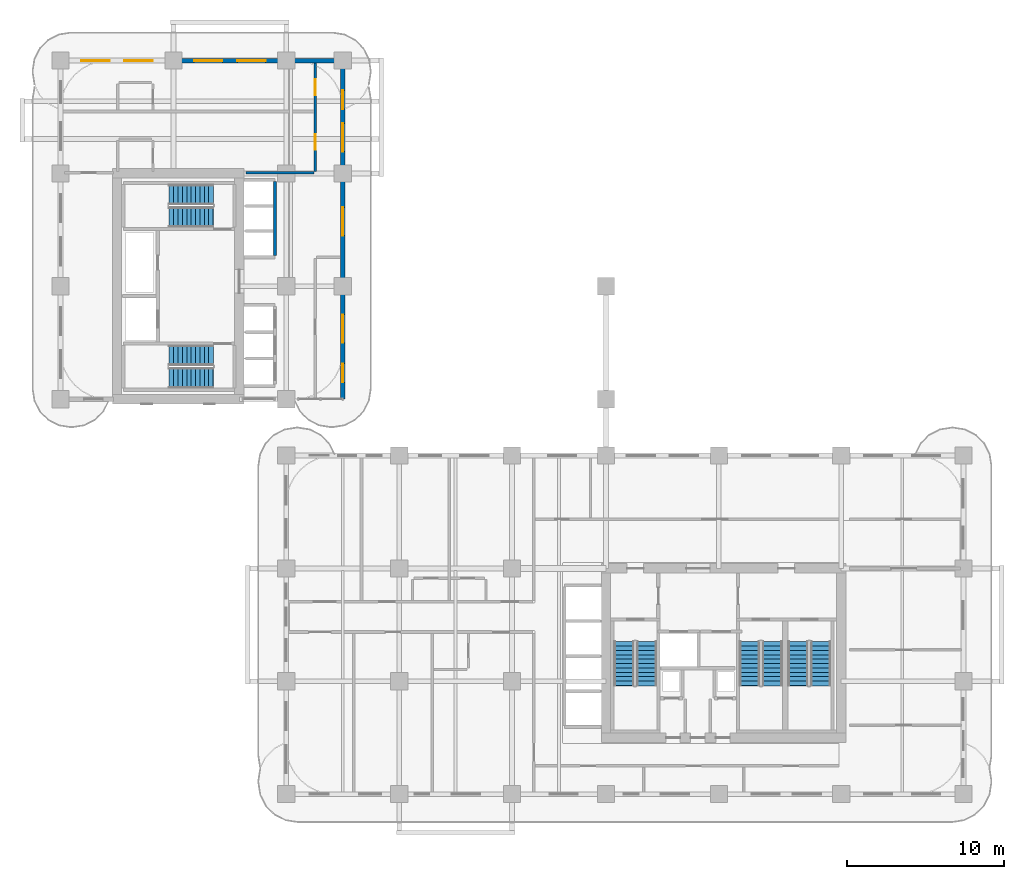
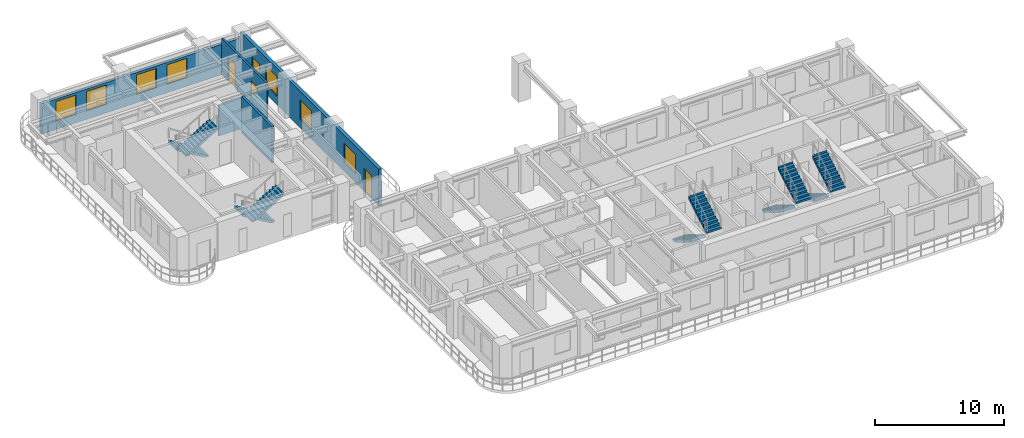
# One storey, part 11 of 18: 10 stair flights, 7 windows, 5 walls, 4 doors, 11 openings, 5 elements without a shape of their own.
"""IFC4 building model written with IfcOpenShell, lengths in metres."""

from ifc_helpers import new_model, si_unit, derived_unit, direction, frame, frame_2d, origin, place, context, subcontext, project, spatial, polyline, rectangle, outline, extrude, source, transform, mapped, material, layer, layer_set, type_object, type_shapes, element, fill, aggregate, save


model = new_model("IFC4")

# Units and contexts
model_context = context("Model", 3, precision=1e-05, world=origin(), true_north=direction((0.0, 1.0)))
body_context = subcontext(model_context, "Body", "Model", "MODEL_VIEW")
ifc_project = project(units=[si_unit("LENGTHUNIT", "METRE"), si_unit("AREAUNIT", "SQUARE_METRE"), si_unit("VOLUMEUNIT", "CUBIC_METRE"), si_unit("PLANEANGLEUNIT", "RADIAN"), si_unit("MASSUNIT", "GRAM", prefix="KILO"), si_unit("THERMODYNAMICTEMPERATUREUNIT", "KELVIN"), si_unit("POWERUNIT", "WATT"), derived_unit("THERMALTRANSMITTANCEUNIT", [(si_unit("POWERUNIT", "WATT"), 1), (si_unit("AREAUNIT", "SQUARE_METRE"), -1), (si_unit("THERMODYNAMICTEMPERATUREUNIT", "KELVIN"), -1)])], contexts=[model_context])

# Site, building, storey
site_placement = place(None, origin())
site = spatial("IfcSite", under=ifc_project, at=site_placement, CompositionType="ELEMENT")
building_placement = place(site_placement, origin())
building = spatial("IfcBuilding", under=site, at=building_placement, Name="Zahravan Archway Hotel and Residences", CompositionType="ELEMENT")
storey_placement = place(building_placement, frame((0.0, 0.0, 50.89990234375)))
storey = spatial("IfcBuildingStorey", under=building, at=storey_placement, Name="L11", CompositionType="ELEMENT", Elevation=50.89990234375)

# Wall, openings, doors, windows
ifc_material_1 = material(Name="Honed Red-Ochre Sandstone & Insulated Block", Category="masonry")
ifc_layer_1 = layer(ifc_material_1, 0.280029296875, Name="Honed Red-Ochre Sandstone & Insulated Block", Category="masonry")
ifc_layer_set_1 = layer_set([ifc_layer_1], Name="Honed Red-Ochre Sandstone & Insulated Block")
wall_type_1 = type_object("IfcWallType", Name="EW-LOG-280", PredefinedType="SOLIDWALL", material=ifc_layer_set_1)
wall_1_placement = place(storey_placement, frame((18.0, 25.199951171875, 0.0), z_axis=(0.0, 0.0, 1.0), x_axis=(0.0, 1.0, 0.0)))
wall_1 = element("IfcWall", 1, at=wall_1_placement, inside=storey, type_object=wall_type_1, Name="L11 Exterior Sandstone Wall WB-E", PredefinedType="SOLIDWALL", context=body_context, shape_type="SweptSolid", body=[
    extrude(rectangle(XDim=21.550048828125, YDim=0.280029296875, at=frame_2d((10.77490234375, 0.0))), origin(), (0.0, 0.0, 1.0), 3.4501953125),
])
opening_1_placement = place(wall_1_placement, frame((18.5, 0.0, 0.0)))
opening_1 = element("IfcOpeningElement", 2, at=opening_1_placement, cuts=wall_1, Name="Opening ED-BL1", PredefinedType="OPENING", context=body_context, shape_type="SweptSolid", body=[
    extrude(rectangle(XDim=1.199951171875, YDim=2.199951171875, at=frame_2d((0.60009765625, 1.10009765625))), frame((0.0, 0.14990234375, 0.0), z_axis=(0.0, -1.0, 0.0), x_axis=(1.0, 0.0, 0.0)), (0.0, 0.0, 1.0), 0.300048828125),
])
opening_2_placement = place(wall_1_placement, frame((1.070068359375, 0.0, 0.0)))
opening_2 = element("IfcOpeningElement", 3, at=opening_2_placement, cuts=wall_1, Name="Opening ED-BL1", PredefinedType="OPENING", context=body_context, shape_type="SweptSolid", body=[
    extrude(rectangle(XDim=1.199951171875, YDim=2.199951171875, at=frame_2d((0.60009765625, 1.10009765625))), frame((0.0, 0.14990234375, 0.0), z_axis=(0.0, -1.0, 0.0), x_axis=(1.0, 0.0, 0.0)), (0.0, 0.0, 1.0), 0.300048828125),
])
opening_3_placement = place(wall_1_placement, frame((3.5849609375, 0.0, 0.800048828125)))
opening_3 = element("IfcOpeningElement", 4, at=opening_3_placement, cuts=wall_1, Name="Opening W-02", PredefinedType="OPENING", context=body_context, shape_type="SweptSolid", body=[
    extrude(rectangle(XDim=1.800048828125, YDim=1.85009765625, at=frame_2d((0.89990234375, 0.925048828125))), frame((0.0, 0.14990234375, 0.0), z_axis=(0.0, -1.0, 0.0), x_axis=(1.0, 0.0, 0.0)), (0.0, 0.0, 1.0), 0.300048828125),
])
opening_4_placement = place(wall_1_placement, frame((10.427978515625, 0.0, 0.800048828125)))
opening_4 = element("IfcOpeningElement", 5, at=opening_4_placement, cuts=wall_1, Name="Opening W-02", PredefinedType="OPENING", context=body_context, shape_type="SweptSolid", body=[
    extrude(rectangle(XDim=1.800048828125, YDim=1.85009765625, at=frame_2d((0.89990234375, 0.925048828125))), frame((0.0, 0.14990234375, 0.0), z_axis=(0.0, -1.0, 0.0), x_axis=(1.0, 0.0, 0.0)), (0.0, 0.0, 1.0), 0.300048828125),
])
opening_5_placement = place(wall_1_placement, frame((15.800048828125, 0.0, 0.800048828125)))
opening_5 = element("IfcOpeningElement", 6, at=opening_5_placement, cuts=wall_1, Name="Opening W-02", PredefinedType="OPENING", context=body_context, shape_type="SweptSolid", body=[
    extrude(rectangle(XDim=1.800048828125, YDim=1.85009765625, at=frame_2d((0.89990234375, 0.925048828125))), frame((0.0, 0.14990234375, 0.0), z_axis=(0.0, -1.0, 0.0), x_axis=(1.0, 0.0, 0.0)), (0.0, 0.0, 1.0), 0.300048828125),
])
ifc_material_2 = material(Name="Bronze-Anodized Glazed Aluminium", Category="aluminium")
door_type_1 = type_object("IfcDoorType", Name="ED-BALC-1200", OperationType="SLIDING_TO_LEFT", PredefinedType="DOOR", material=ifc_material_2)
shared_shape_1 = source(origin(), body_context, "Body", "SweptSolid", [
    extrude(rectangle(XDim=1.199951171875, YDim=2.199951171875, at=frame_2d((0.60009765625, 1.10009765625))), frame((0.0, 0.02490234375, 0.0), z_axis=(0.0, -1.0, 0.0), x_axis=(1.0, 0.0, 0.0)), (0.0, 0.0, 1.0), 0.050048828125),
])
type_shapes(door_type_1, [shared_shape_1])
door_1_placement = place(opening_1_placement, origin())
door_1 = element("IfcDoor", 7, at=door_1_placement, inside=storey, type_object=door_type_1, Name="L11 Outdoor Access Sliding Door (SLB-BAL-L11-NB)", OperationType="SLIDING_TO_LEFT", OverallHeight=2.199951171875, OverallWidth=1.199951171875, PredefinedType="DOOR", context=body_context, shape_type="MappedRepresentation", body=[
    mapped(shared_shape_1, transform((0.0, 0.0, 0.0), scale=1.0)),
])
fill(opening_1, door_1)
door_2_placement = place(opening_2_placement, origin())
door_2 = element("IfcDoor", 8, at=door_2_placement, inside=storey, type_object=door_type_1, Name="L11 Outdoor Access Sliding Door (SLB-BAL-L11-EB)", OperationType="SLIDING_TO_LEFT", OverallHeight=2.199951171875, OverallWidth=1.199951171875, PredefinedType="DOOR", context=body_context, shape_type="MappedRepresentation", body=[
    mapped(shared_shape_1, transform((0.0, 0.0, 0.0), scale=1.0)),
])
fill(opening_2, door_2)
ifc_material_3 = material(Name="Bronze-Anodized Thermal-Break Aluminium & Low-E Glass", Category="aluminium")
window_type = type_object("IfcWindowType", Name="WIN-TWR-1800", PartitioningType="DOUBLE_PANEL_VERTICAL", PredefinedType="WINDOW", material=ifc_material_3)
shared_shape_2 = source(origin(), body_context, "Body", "SweptSolid", [
    extrude(rectangle(XDim=1.800048828125, YDim=1.85009765625, at=frame_2d((0.89990234375, 0.925048828125))), frame((0.0, 0.030029296875, 0.0), z_axis=(0.0, -1.0, 0.0), x_axis=(1.0, 0.0, 0.0)), (0.0, 0.0, 1.0), 0.06005859375),
])
type_shapes(window_type, [shared_shape_2])
window_1_placement = place(opening_3_placement, origin())
window_1 = element("IfcWindow", 9, at=window_1_placement, inside=storey, type_object=window_type, Name="L11 Loggia Window 34", OverallHeight=1.85009765625, OverallWidth=1.800048828125, PartitioningType="DOUBLE_PANEL_VERTICAL", PredefinedType="WINDOW", context=body_context, shape_type="MappedRepresentation", body=[
    mapped(shared_shape_2, transform((0.0, 0.0, 0.0), scale=1.0)),
])
fill(opening_3, window_1)
window_2_placement = place(opening_4_placement, origin())
window_2 = element("IfcWindow", 10, at=window_2_placement, inside=storey, type_object=window_type, Name="L11 Loggia Window 35", OverallHeight=1.85009765625, OverallWidth=1.800048828125, PartitioningType="DOUBLE_PANEL_VERTICAL", PredefinedType="WINDOW", context=body_context, shape_type="MappedRepresentation", body=[
    mapped(shared_shape_2, transform((0.0, 0.0, 0.0), scale=1.0)),
])
fill(opening_4, window_2)
window_3_placement = place(opening_5_placement, origin())
window_3 = element("IfcWindow", 11, at=window_3_placement, inside=storey, type_object=window_type, Name="L11 Loggia Window 36", OverallHeight=1.85009765625, OverallWidth=1.800048828125, PartitioningType="DOUBLE_PANEL_VERTICAL", PredefinedType="WINDOW", context=body_context, shape_type="MappedRepresentation", body=[
    mapped(shared_shape_2, transform((0.0, 0.0, 0.0), scale=1.0)),
])
fill(opening_5, window_3)

# Wall, openings, windows
wall_2_placement = place(storey_placement, frame((0.0, 46.800048828125, 0.0), z_axis=(0.0, 0.0, 1.0), x_axis=(1.0, 0.0, 0.0)))
wall_2 = element("IfcWall", 12, at=wall_2_placement, inside=storey, type_object=wall_type_1, Name="L11 Exterior Sandstone Wall WB-N", PredefinedType="SOLIDWALL", context=body_context, shape_type="SweptSolid", body=[
    extrude(rectangle(XDim=18.0, YDim=0.280029296875, at=frame_2d((9.0, 0.0))), origin(), (0.0, 0.0, 1.0), 2.885009765625),
])
opening_6_placement = place(wall_2_placement, frame((1.324951171875, 0.0, 0.800048828125)))
opening_6 = element("IfcOpeningElement", 13, at=opening_6_placement, cuts=wall_2, Name="Opening W-02", PredefinedType="OPENING", context=body_context, shape_type="SweptSolid", body=[
    extrude(rectangle(XDim=1.800048828125, YDim=1.85009765625, at=frame_2d((0.89990234375, 0.925048828125))), frame((0.0, 0.14990234375, 0.0), z_axis=(0.0, -1.0, 0.0), x_axis=(1.0, 0.0, 0.0)), (0.0, 0.0, 1.0), 0.300048828125),
])
opening_7_placement = place(wall_2_placement, frame((4.074951171875, 0.0, 0.800048828125)))
opening_7 = element("IfcOpeningElement", 14, at=opening_7_placement, cuts=wall_2, Name="Opening W-02", PredefinedType="OPENING", context=body_context, shape_type="SweptSolid", body=[
    extrude(rectangle(XDim=1.800048828125, YDim=1.85009765625, at=frame_2d((0.89990234375, 0.925048828125))), frame((0.0, 0.14990234375, 0.0), z_axis=(0.0, -1.0, 0.0), x_axis=(1.0, 0.0, 0.0)), (0.0, 0.0, 1.0), 0.300048828125),
])
opening_8_placement = place(wall_2_placement, frame((8.52490234375, 0.0, 0.800048828125)))
opening_8 = element("IfcOpeningElement", 15, at=opening_8_placement, cuts=wall_2, Name="Opening W-02", PredefinedType="OPENING", context=body_context, shape_type="SweptSolid", body=[
    extrude(rectangle(XDim=1.800048828125, YDim=1.85009765625, at=frame_2d((0.89990234375, 0.925048828125))), frame((0.0, 0.14990234375, 0.0), z_axis=(0.0, -1.0, 0.0), x_axis=(1.0, 0.0, 0.0)), (0.0, 0.0, 1.0), 0.300048828125),
])
opening_9_placement = place(wall_2_placement, frame((11.27490234375, 0.0, 0.800048828125)))
opening_9 = element("IfcOpeningElement", 16, at=opening_9_placement, cuts=wall_2, Name="Opening W-02", PredefinedType="OPENING", context=body_context, shape_type="SweptSolid", body=[
    extrude(rectangle(XDim=1.800048828125, YDim=1.85009765625, at=frame_2d((0.89990234375, 0.925048828125))), frame((0.0, 0.14990234375, 0.0), z_axis=(0.0, -1.0, 0.0), x_axis=(1.0, 0.0, 0.0)), (0.0, 0.0, 1.0), 0.300048828125),
])
window_4_placement = place(opening_6_placement, origin())
window_4 = element("IfcWindow", 17, at=window_4_placement, inside=storey, type_object=window_type, Name="L11 Loggia Window 37", OverallHeight=1.85009765625, OverallWidth=1.800048828125, PartitioningType="DOUBLE_PANEL_VERTICAL", PredefinedType="WINDOW", context=body_context, shape_type="MappedRepresentation", body=[
    mapped(shared_shape_2, transform((0.0, 0.0, 0.0), scale=1.0)),
])
fill(opening_6, window_4)
window_5_placement = place(opening_7_placement, origin())
window_5 = element("IfcWindow", 18, at=window_5_placement, inside=storey, type_object=window_type, Name="L11 Loggia Window 38", OverallHeight=1.85009765625, OverallWidth=1.800048828125, PartitioningType="DOUBLE_PANEL_VERTICAL", PredefinedType="WINDOW", context=body_context, shape_type="MappedRepresentation", body=[
    mapped(shared_shape_2, transform((0.0, 0.0, 0.0), scale=1.0)),
])
fill(opening_7, window_5)
window_6_placement = place(opening_8_placement, origin())
window_6 = element("IfcWindow", 19, at=window_6_placement, inside=storey, type_object=window_type, Name="L11 Loggia Window 39", OverallHeight=1.85009765625, OverallWidth=1.800048828125, PartitioningType="DOUBLE_PANEL_VERTICAL", PredefinedType="WINDOW", context=body_context, shape_type="MappedRepresentation", body=[
    mapped(shared_shape_2, transform((0.0, 0.0, 0.0), scale=1.0)),
])
fill(opening_8, window_6)
window_7_placement = place(opening_9_placement, origin())
window_7 = element("IfcWindow", 20, at=window_7_placement, inside=storey, type_object=window_type, Name="L11 Loggia Window 40", OverallHeight=1.85009765625, OverallWidth=1.800048828125, PartitioningType="DOUBLE_PANEL_VERTICAL", PredefinedType="WINDOW", context=body_context, shape_type="MappedRepresentation", body=[
    mapped(shared_shape_2, transform((0.0, 0.0, 0.0), scale=1.0)),
])
fill(opening_9, window_7)

# Wall, openings, doors
ifc_material_4 = material(Name="Fire-Rated Gypsum & Concrete Block", Category="concrete")
ifc_layer_2 = layer(ifc_material_4, 0.159912109375, Name="Fire-Rated Gypsum & Concrete Block", Category="concrete")
ifc_layer_set_2 = layer_set([ifc_layer_2], Name="Fire-Rated Gypsum & Concrete Block")
wall_type_2 = type_object("IfcWallType", Name="PW-CORR-160", PredefinedType="PARTITIONING", material=ifc_layer_set_2)
wall_3_placement = place(storey_placement, frame((16.25, 39.739990234375, 0.0), z_axis=(0.0, 0.0, 1.0), x_axis=(0.0, 1.0, 0.0)))
wall_3 = element("IfcWall", 21, at=wall_3_placement, inside=storey, type_object=wall_type_2, Name="L11 Partition WB-CN", PredefinedType="PARTITIONING", context=body_context, shape_type="SweptSolid", body=[
    extrude(rectangle(XDim=6.912109375, YDim=0.159912109375, at=frame_2d((3.4560546875, 0.0))), origin(), (0.0, 0.0, 1.0), 3.4501953125),
])
opening_10_placement = place(wall_3_placement, frame((1.360107421875, 0.0, 0.0)))
opening_10 = element("IfcOpeningElement", 22, at=opening_10_placement, cuts=wall_3, Name="Opening D-U2", PredefinedType="OPENING", context=body_context, shape_type="SweptSolid", body=[
    extrude(rectangle(XDim=1.0, YDim=2.199951171875, at=frame_2d((0.5, 1.10009765625))), frame((0.0, 0.08984375, 0.0), z_axis=(0.0, -1.0, 0.0), x_axis=(1.0, 0.0, 0.0)), (0.0, 0.0, 1.0), 0.179931640625),
])
opening_11_placement = place(wall_3_placement, frame((4.8349609375, 0.0, 0.0)))
opening_11 = element("IfcOpeningElement", 23, at=opening_11_placement, cuts=wall_3, Name="Opening D-U1", PredefinedType="OPENING", context=body_context, shape_type="SweptSolid", body=[
    extrude(rectangle(XDim=1.050048828125, YDim=2.25, at=frame_2d((0.52490234375, 1.125))), frame((0.0, 0.08984375, 0.0), z_axis=(0.0, -1.0, 0.0), x_axis=(1.0, 0.0, 0.0)), (0.0, 0.0, 1.0), 0.179931640625),
])
ifc_material_5 = material(Name="Hardwood Veneer Timber", Category="wood")
door_type_2 = type_object("IfcDoorType", Name="ID-UNIT-1050", OperationType="NOTDEFINED", PredefinedType="DOOR", material=ifc_material_5)
shared_shape_3 = source(origin(), body_context, "Body", "SweptSolid", [
    extrude(rectangle(XDim=1.050048828125, YDim=2.25, at=frame_2d((0.52490234375, 1.125))), frame((0.0, 0.02490234375, 0.0), z_axis=(0.0, -1.0, 0.0), x_axis=(1.0, 0.0, 0.0)), (0.0, 0.0, 1.0), 0.050048828125),
])
type_shapes(door_type_2, [shared_shape_3])
door_3_placement = place(opening_11_placement, origin())
door_3 = element("IfcDoor", 24, at=door_3_placement, inside=storey, type_object=door_type_2, Name="L11 Hotel Guestroom 62 Entrance Door", OperationType="SINGLE_SWING_LEFT", OverallHeight=2.25, OverallWidth=1.050048828125, PredefinedType="DOOR", context=body_context, shape_type="MappedRepresentation", body=[
    mapped(shared_shape_3, transform((0.0, 0.0, 0.0), scale=1.0)),
])
fill(opening_11, door_3)
door_type_3 = type_object("IfcDoorType", Name="ID-UNIT-1000", OperationType="NOTDEFINED", PredefinedType="DOOR", material=ifc_material_5)
shared_shape_4 = source(origin(), body_context, "Body", "SweptSolid", [
    extrude(rectangle(XDim=1.0, YDim=2.199951171875, at=frame_2d((0.5, 1.10009765625))), frame((0.0, 0.02490234375, 0.0), z_axis=(0.0, -1.0, 0.0), x_axis=(1.0, 0.0, 0.0)), (0.0, 0.0, 1.0), 0.050048828125),
])
type_shapes(door_type_3, [shared_shape_4])
door_4_placement = place(opening_10_placement, origin())
door_4 = element("IfcDoor", 25, at=door_4_placement, inside=storey, type_object=door_type_3, Name="L11 Hotel Guestroom 61 Entrance Door", OperationType="SINGLE_SWING_RIGHT", OverallHeight=2.199951171875, OverallWidth=1.0, PredefinedType="DOOR", context=body_context, shape_type="MappedRepresentation", body=[
    mapped(shared_shape_4, transform((0.0, 0.0, 0.0), scale=1.0)),
])
fill(opening_10, door_4)

# Walls
wall_4_placement = place(storey_placement, frame((11.840087890625, 39.64990234375, 0.0), z_axis=(0.0, 0.0, 1.0), x_axis=(1.0, 0.0, 0.0)))
element("IfcWall", 26, at=wall_4_placement, inside=storey, type_object=wall_type_2, Name="L11 Partition WB-NS2", PredefinedType="PARTITIONING", context=body_context, shape_type="SweptSolid", body=[
    extrude(rectangle(XDim=4.31982421875, YDim=0.159912109375, at=frame_2d((2.159912109375, 0.0))), origin(), (0.0, 0.0, 1.0), 2.885009765625),
])
ifc_layer_3 = layer(ifc_material_4, 0.199951171875, Name="Fire-Rated Gypsum & Concrete Block", Category="concrete")
ifc_layer_set_3 = layer_set([ifc_layer_3], Name="Fire-Rated Gypsum & Concrete Block")
wall_type_3 = type_object("IfcWallType", Name="PW-SHAFT-200", PredefinedType="PARTITIONING", material=ifc_layer_set_3)
wall_5_placement = place(storey_placement, frame((13.679931640625, 34.360107421875, 0.0), z_axis=(0.0, 0.0, 1.0), x_axis=(0.0, 1.0, 0.0)))
element("IfcWall", 27, at=wall_5_placement, inside=storey, type_object=wall_type_3, Name="L11 Partition B2-E", PredefinedType="PARTITIONING", context=body_context, shape_type="SweptSolid", body=[
    extrude(rectangle(XDim=4.719970703125, YDim=0.199951171875, at=frame_2d((2.35986328125, 0.0))), origin(), (0.0, 0.0, 1.0), 3.4501953125),
])

# Stair, stair flights
ifc_material_6 = material(Name="Concrete C50/60", Category="concrete")
stair_type = type_object("IfcStairType", Name="STR-CORE-1300", PredefinedType="HALF_TURN_STAIR", material=ifc_material_6)
stair_1_placement = place(storey_placement, origin())
stair_1 = element("IfcStair", 28, at=stair_1_placement, inside=storey, type_object=stair_type, Name="L11 Core A Exit Stair 1", PredefinedType="HALF_TURN_STAIR")
ifc_layer_4 = layer(ifc_material_6, 0.199951171875, Name="Concrete C50/60", Category="concrete")
ifc_layer_set_4 = layer_set([ifc_layer_4], Name="Concrete C50/60")
stair_flight_type = type_object("IfcStairFlightType", Name="SFL-CORE-1300", PredefinedType="STRAIGHT", material=ifc_layer_set_4)
shared_shape_5 = source(origin(), body_context, "Body", "SweptSolid", [
    extrude(outline(polyline([(-0.01611328125, 0.0), (-0.01611328125, 0.168212890625), (0.280029296875, 0.168212890625), (0.280029296875, 0.33642578125), (0.56005859375, 0.33642578125), (0.56005859375, 0.504638671875), (0.840087890625, 0.504638671875), (0.840087890625, 0.672607421875), (1.1201171875, 0.672607421875), (1.1201171875, 0.8408203125), (1.39990234375, 0.8408203125), (1.39990234375, 1.009033203125), (1.679931640625, 1.009033203125), (1.679931640625, 1.17724609375), (1.9599609375, 1.17724609375), (1.9599609375, 1.345458984375), (2.239990234375, 1.345458984375), (2.239990234375, 1.513671875), (2.52001953125, 1.513671875), (2.52001953125, 1.681884765625), (2.800048828125, 1.681884765625), (2.800048828125, 1.85009765625), (2.816162109375, 1.85009765625), (2.816162109375, 1.5068359375), (0.291015625, 0.0), (-0.01611328125, 0.0)])), frame((0.0, 0.64990234375, 0.0), z_axis=(0.0, -1.0, 0.0), x_axis=(1.0, 0.0, 0.0)), (0.0, 0.0, 1.0), 1.300048828125),
])
stair_flight_1_placement = place(storey_placement, frame((35.949951171875, 9.72998046875, 0.0), z_axis=(0.0, 0.0, 1.0), x_axis=(0.0, -1.0, 0.0)))
stair_flight_1 = element("IfcStairFlight", 29, at=stair_flight_1_placement, type_object=stair_flight_type, Name="ST-A1 flight 1", NumberOfRisers=11, NumberOfTreads=10, PredefinedType="STRAIGHT", RiserHeight=0.168181818, TreadLength=0.28, context=body_context, shape_type="MappedRepresentation", body=[
    mapped(shared_shape_5, transform((0.0, 0.0, 0.0), scale=1.0)),
])
stair_flight_2_placement = place(storey_placement, frame((37.389892578125, 6.929931640625, 1.85009765625), z_axis=(0.0, 0.0, 1.0), x_axis=(0.0, 1.0, 0.0)))
stair_flight_2 = element("IfcStairFlight", 30, at=stair_flight_2_placement, type_object=stair_flight_type, Name="ST-A1 flight 2", NumberOfRisers=11, NumberOfTreads=10, PredefinedType="STRAIGHT", RiserHeight=0.168181818, TreadLength=0.28, context=body_context, shape_type="MappedRepresentation", body=[
    mapped(shared_shape_5, transform((0.0, 0.0, 0.0), scale=1.0)),
])
aggregate(stair_1, [stair_flight_1, stair_flight_2])

stair_2_placement = place(storey_placement, origin())
stair_2 = element("IfcStair", 31, at=stair_2_placement, inside=storey, type_object=stair_type, Name="L11 Core A Exit Stair 2", PredefinedType="HALF_TURN_STAIR")
stair_flight_3_placement = place(storey_placement, frame((43.969970703125, 9.72998046875, 0.0), z_axis=(0.0, 0.0, 1.0), x_axis=(0.0, -1.0, 0.0)))
stair_flight_3 = element("IfcStairFlight", 32, at=stair_flight_3_placement, type_object=stair_flight_type, Name="ST-A2 flight 1", NumberOfRisers=11, NumberOfTreads=10, PredefinedType="STRAIGHT", RiserHeight=0.168181818, TreadLength=0.28, context=body_context, shape_type="MappedRepresentation", body=[
    mapped(shared_shape_5, transform((0.0, 0.0, 0.0), scale=1.0)),
])
stair_flight_4_placement = place(storey_placement, frame((45.409912109375, 6.929931640625, 1.85009765625), z_axis=(0.0, 0.0, 1.0), x_axis=(0.0, 1.0, 0.0)))
stair_flight_4 = element("IfcStairFlight", 33, at=stair_flight_4_placement, type_object=stair_flight_type, Name="ST-A2 flight 2", NumberOfRisers=11, NumberOfTreads=10, PredefinedType="STRAIGHT", RiserHeight=0.168181818, TreadLength=0.28, context=body_context, shape_type="MappedRepresentation", body=[
    mapped(shared_shape_5, transform((0.0, 0.0, 0.0), scale=1.0)),
])
aggregate(stair_2, [stair_flight_3, stair_flight_4])

stair_3_placement = place(storey_placement, origin())
stair_3 = element("IfcStair", 34, at=stair_3_placement, inside=storey, type_object=stair_type, Name="L11 Core A Exit Stair 3", PredefinedType="HALF_TURN_STAIR")
stair_flight_5_placement = place(storey_placement, frame((47.050048828125, 9.72998046875, 0.0), z_axis=(0.0, 0.0, 1.0), x_axis=(0.0, -1.0, 0.0)))
stair_flight_5 = element("IfcStairFlight", 35, at=stair_flight_5_placement, type_object=stair_flight_type, Name="ST-A3 flight 1", NumberOfRisers=11, NumberOfTreads=10, PredefinedType="STRAIGHT", RiserHeight=0.168181818, TreadLength=0.28, context=body_context, shape_type="MappedRepresentation", body=[
    mapped(shared_shape_5, transform((0.0, 0.0, 0.0), scale=1.0)),
])
stair_flight_6_placement = place(storey_placement, frame((48.489990234375, 6.929931640625, 1.85009765625), z_axis=(0.0, 0.0, 1.0), x_axis=(0.0, 1.0, 0.0)))
stair_flight_6 = element("IfcStairFlight", 36, at=stair_flight_6_placement, type_object=stair_flight_type, Name="ST-A3 flight 2", NumberOfRisers=11, NumberOfTreads=10, PredefinedType="STRAIGHT", RiserHeight=0.168181818, TreadLength=0.28, context=body_context, shape_type="MappedRepresentation", body=[
    mapped(shared_shape_5, transform((0.0, 0.0, 0.0), scale=1.0)),
])
aggregate(stair_3, [stair_flight_5, stair_flight_6])

stair_4_placement = place(storey_placement, origin())
stair_4 = element("IfcStair", 37, at=stair_4_placement, inside=storey, type_object=stair_type, Name="L11 Core B Exit Stair 1", PredefinedType="HALF_TURN_STAIR")
stair_flight_7_placement = place(storey_placement, frame((9.72998046875, 27.989990234375, 0.0), z_axis=(0.0, 0.0, 1.0), x_axis=(-1.0, 0.0, 0.0)))
stair_flight_7 = element("IfcStairFlight", 38, at=stair_flight_7_placement, type_object=stair_flight_type, Name="ST-B1 flight 1", NumberOfRisers=11, NumberOfTreads=10, PredefinedType="STRAIGHT", RiserHeight=0.168181818, TreadLength=0.28, context=body_context, shape_type="MappedRepresentation", body=[
    mapped(shared_shape_5, transform((0.0, 0.0, 0.0), scale=1.0)),
])
stair_flight_8_placement = place(storey_placement, frame((6.929931640625, 26.550048828125, 1.85009765625), z_axis=(0.0, 0.0, 1.0), x_axis=(1.0, 0.0, 0.0)))
stair_flight_8 = element("IfcStairFlight", 39, at=stair_flight_8_placement, type_object=stair_flight_type, Name="ST-B1 flight 2", NumberOfRisers=11, NumberOfTreads=10, PredefinedType="STRAIGHT", RiserHeight=0.168181818, TreadLength=0.28, context=body_context, shape_type="MappedRepresentation", body=[
    mapped(shared_shape_5, transform((0.0, 0.0, 0.0), scale=1.0)),
])
aggregate(stair_4, [stair_flight_7, stair_flight_8])

stair_5_placement = place(storey_placement, origin())
stair_5 = element("IfcStair", 40, at=stair_5_placement, inside=storey, type_object=stair_type, Name="L11 Core B Exit Stair 2", PredefinedType="HALF_TURN_STAIR")
stair_flight_9_placement = place(storey_placement, frame((9.72998046875, 38.25, 0.0), z_axis=(0.0, 0.0, 1.0), x_axis=(-1.0, 0.0, 0.0)))
stair_flight_9 = element("IfcStairFlight", 41, at=stair_flight_9_placement, type_object=stair_flight_type, Name="ST-B2 flight 1", NumberOfRisers=11, NumberOfTreads=10, PredefinedType="STRAIGHT", RiserHeight=0.168181818, TreadLength=0.28, context=body_context, shape_type="MappedRepresentation", body=[
    mapped(shared_shape_5, transform((0.0, 0.0, 0.0), scale=1.0)),
])
stair_flight_10_placement = place(storey_placement, frame((6.929931640625, 36.81005859375, 1.85009765625), z_axis=(0.0, 0.0, 1.0), x_axis=(1.0, 0.0, 0.0)))
stair_flight_10 = element("IfcStairFlight", 42, at=stair_flight_10_placement, type_object=stair_flight_type, Name="ST-B2 flight 2", NumberOfRisers=11, NumberOfTreads=10, PredefinedType="STRAIGHT", RiserHeight=0.168181818, TreadLength=0.28, context=body_context, shape_type="MappedRepresentation", body=[
    mapped(shared_shape_5, transform((0.0, 0.0, 0.0), scale=1.0)),
])
aggregate(stair_5, [stair_flight_9, stair_flight_10])

save(model, "model.ifc")
